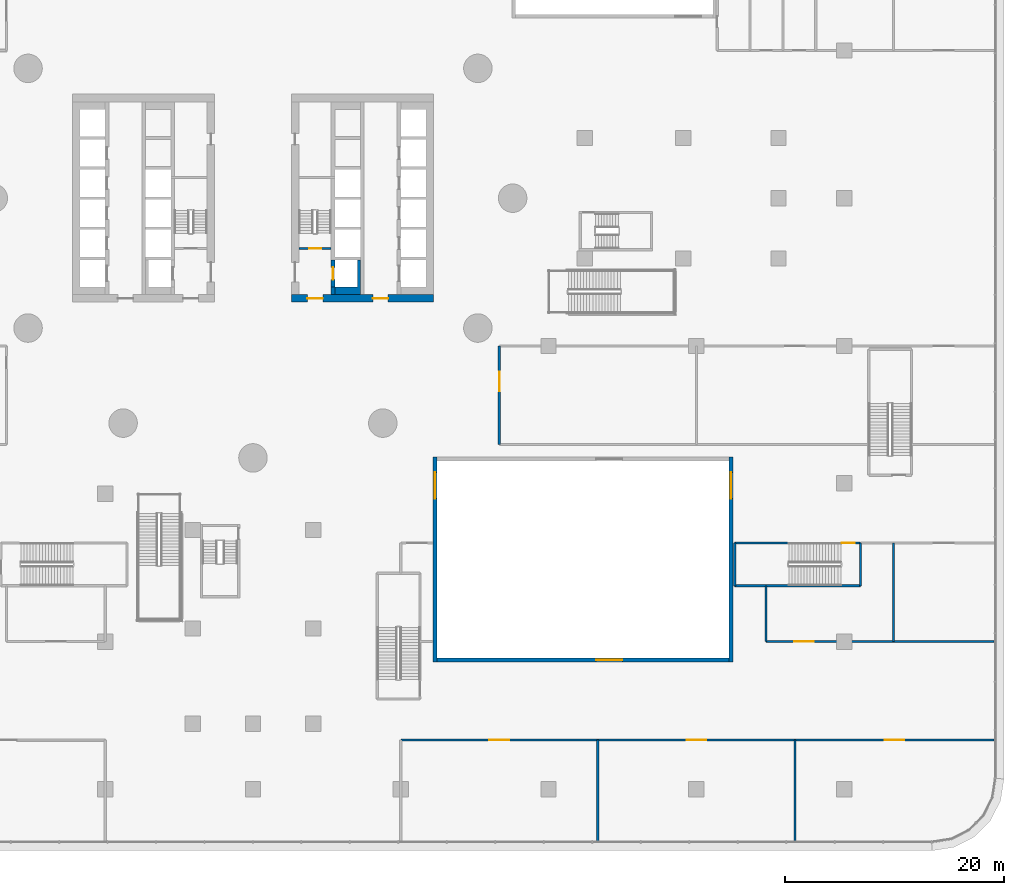
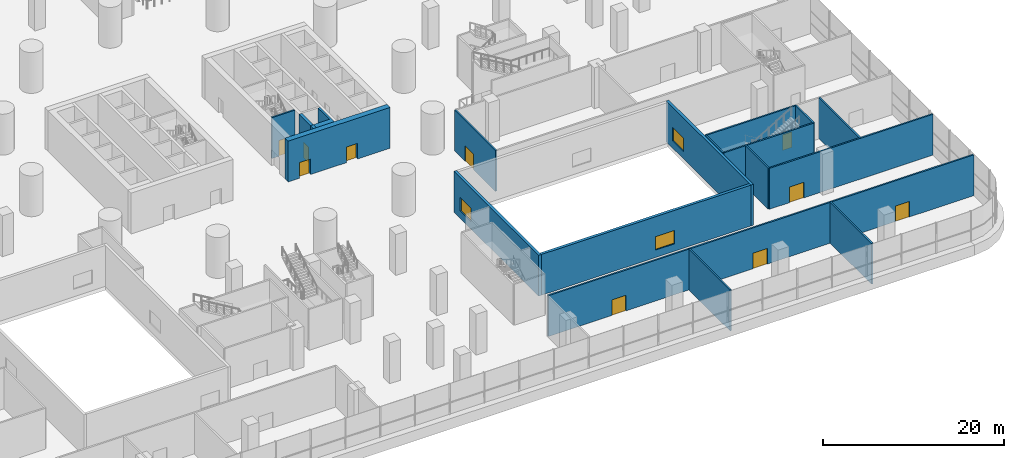
# One storey, part 30 of 52: 19 walls, 10 doors, 3 windows, 13 openings.
"""IFC4 building model written with IfcOpenShell, lengths in metres."""

from ifc_helpers import new_model, si_unit, direction, frame, frame_2d, origin, place, context, subcontext, project, spatial, polyline, rectangle, outline, extrude, material, layer, layer_set, type_object, element, fill, save


model = new_model("IFC4")

# Units and contexts
model_context = context("Model", 3, precision=1e-05, world=origin(), true_north=direction((0.0, 1.0)))
body_context = subcontext(model_context, "Body", "Model", "MODEL_VIEW")
ifc_project = project(units=[si_unit("LENGTHUNIT", "METRE"), si_unit("AREAUNIT", "SQUARE_METRE"), si_unit("VOLUMEUNIT", "CUBIC_METRE"), si_unit("PLANEANGLEUNIT", "RADIAN"), si_unit("MASSUNIT", "GRAM", prefix="KILO")], contexts=[model_context])

# Site, building, storey
site_placement = place(None, origin())
site = spatial("IfcSite", under=ifc_project, at=site_placement, CompositionType="ELEMENT")
building_placement = place(site_placement, origin())
building = spatial("IfcBuilding", under=site, at=building_placement, Name="Tamarind Cross Interchange Tower", CompositionType="ELEMENT")
storey_placement = place(building_placement, frame((0.0, 0.0, 9.0)))
storey = spatial("IfcBuildingStorey", under=building, at=storey_placement, Name="L01", CompositionType="ELEMENT", Elevation=9.0)

# Wall, openings, doors
ifc_material_1 = material(Name="Concrete C80", Category="concrete")
ifc_layer_1 = layer(ifc_material_1, 0.699951171875)
ifc_layer_set_1 = layer_set([ifc_layer_1], Name="Concrete C80")
wall_type_1 = type_object("IfcWallType", Name="Core wall 700 mm Concrete C80", PredefinedType="SHEAR", material=ifc_layer_set_1)
wall_1_placement = place(storey_placement, frame((16.5, -9.14990234375, 0.0), z_axis=(0.0, 0.0, 1.0), x_axis=(-1.0, 0.0, 0.0)))
wall_1 = element("IfcWall", 1, at=wall_1_placement, inside=storey, type_object=wall_type_1, Name="Core wall CWL-L01-E-S", PredefinedType="SHEAR", context=body_context, shape_type="SweptSolid", body=[
    extrude(rectangle(XDim=13.0, YDim=0.699951171875, at=frame_2d((6.5, 0.0))), origin(), (0.0, 0.0, 1.0), 5.5),
])
opening_1_placement = place(wall_1_placement, frame((4.14990234375, 0.0, 0.0)))
opening_1 = element("IfcOpeningElement", 2, at=opening_1_placement, cuts=wall_1, Name="Opening DCE1", PredefinedType="OPENING", context=body_context, shape_type="SweptSolid", body=[
    extrude(rectangle(XDim=1.39990234375, YDim=2.10009765625, at=frame_2d((0.699951171875, 1.050048828125))), frame((0.0, 0.35986328125, 0.0), z_axis=(0.0, -1.0, 0.0), x_axis=(1.0, 0.0, 0.0)), (0.0, 0.0, 1.0), 0.719970703125),
])
opening_2_placement = place(wall_1_placement, frame((10.125, 0.0, 0.0)))
opening_2 = element("IfcOpeningElement", 3, at=opening_2_placement, cuts=wall_1, Name="Opening DCEF", PredefinedType="OPENING", context=body_context, shape_type="SweptSolid", body=[
    extrude(rectangle(XDim=1.39990234375, YDim=2.10009765625, at=frame_2d((0.699951171875, 1.050048828125))), frame((0.0, 0.35986328125, 0.0), z_axis=(0.0, -1.0, 0.0), x_axis=(1.0, 0.0, 0.0)), (0.0, 0.0, 1.0), 0.719970703125),
])
ifc_material_2 = material(Name="Steel, fire-resisting", Category="steel")
door_type_1 = type_object("IfcDoorType", Name="Core fire door 1400 x 2100 FD90", OperationType="SINGLE_SWING_LEFT", PredefinedType="DOOR", material=ifc_material_2)
door_1_placement = place(opening_1_placement, origin())
door_1 = element("IfcDoor", 4, at=door_1_placement, inside=storey, type_object=door_type_1, Name="L01 lift lobby door", OperationType="SINGLE_SWING_LEFT", OverallHeight=2.10009765625, OverallWidth=1.39990234375, PredefinedType="DOOR", context=body_context, shape_type="SweptSolid", body=[
    extrude(rectangle(XDim=1.39990234375, YDim=2.10009765625, at=frame_2d((0.699951171875, 1.050048828125))), frame((0.0, 0.02490234375, 0.0), z_axis=(0.0, -1.0, 0.0), x_axis=(1.0, 0.0, 0.0)), (0.0, 0.0, 1.0), 0.050048828125),
])
fill(opening_1, door_1)
door_2_placement = place(opening_2_placement, origin())
door_2 = element("IfcDoor", 5, at=door_2_placement, inside=storey, type_object=door_type_1, Name="L01 firefighting lobby end door", OperationType="SINGLE_SWING_LEFT", OverallHeight=2.10009765625, OverallWidth=1.39990234375, PredefinedType="DOOR", context=body_context, shape_type="SweptSolid", body=[
    extrude(rectangle(XDim=1.39990234375, YDim=2.10009765625, at=frame_2d((0.699951171875, 1.050048828125))), frame((0.0, 0.02490234375, 0.0), z_axis=(0.0, -1.0, 0.0), x_axis=(1.0, 0.0, 0.0)), (0.0, 0.0, 1.0), 0.050048828125),
])
fill(opening_2, door_2)

# Walls
ifc_layer_2 = layer(ifc_material_1, 0.35009765625)
ifc_layer_set_2 = layer_set([ifc_layer_2], Name="Concrete C80")
wall_type_2 = type_object("IfcWallType", Name="Core web wall 350 mm Concrete C80", PredefinedType="SHEAR", material=ifc_layer_set_2)
wall_2_placement = place(storey_placement, origin())
element("IfcWall", 6, at=wall_2_placement, inside=storey, type_object=wall_type_2, Name="Core wall CWL-L01-E-BS", PredefinedType="SHEAR", context=body_context, shape_type="SweptSolid", body=[
    extrude(outline(polyline([(7.5, -8.125), (7.5, -8.800048828125), (9.800048828125, -8.800048828125), (9.800048828125, -8.125), (9.800048828125, -5.625), (9.550048828125, -5.625), (9.550048828125, -8.125), (7.5, -8.125)])), origin(), (0.0, 0.0, 1.0), 5.5),
])
wall_3_placement = place(storey_placement, frame((7.324951171875, -8.800048828125, 0.0), z_axis=(0.0, 0.0, 1.0), x_axis=(0.0, 1.0, 0.0)))
element("IfcWall", 7, at=wall_3_placement, inside=storey, type_object=wall_type_2, Name="Core wall CWL-L01-E-BW", PredefinedType="SHEAR", context=body_context, shape_type="SweptSolid", body=[
    extrude(rectangle(XDim=0.675048828125, YDim=0.35009765625, at=frame_2d((0.33740234375, 0.0))), origin(), (0.0, 0.0, 1.0), 5.5),
])

# Wall, opening, door
wall_4_placement = place(storey_placement, frame((7.324951171875, -8.125, 0.0), z_axis=(0.0, 0.0, 1.0), x_axis=(0.0, 1.0, 0.0)))
wall_4 = element("IfcWall", 8, at=wall_4_placement, inside=storey, type_object=wall_type_2, Name="Core wall CWL-L01-E-FF", PredefinedType="SHEAR", context=body_context, shape_type="SweptSolid", body=[
    extrude(rectangle(XDim=2.5, YDim=0.35009765625, at=frame_2d((1.25, 0.0))), origin(), (0.0, 0.0, 1.0), 5.5),
])
opening_3_placement = place(wall_4_placement, frame((0.699951171875, 0.0, 0.0)))
opening_3 = element("IfcOpeningElement", 9, at=opening_3_placement, cuts=wall_4, Name="Opening LD19L01", PredefinedType="OPENING", context=body_context, shape_type="SweptSolid", body=[
    extrude(rectangle(XDim=1.10009765625, YDim=2.10009765625, at=frame_2d((0.550048828125, 1.050048828125))), frame((0.0, 0.18505859375, 0.0), z_axis=(0.0, -1.0, 0.0), x_axis=(1.0, 0.0, 0.0)), (0.0, 0.0, 1.0), 0.3701171875),
])
ifc_material_3 = material(Name="Stainless steel panel", Category="steel")
door_type_2 = type_object("IfcDoorType", Name="Lift landing door 1100 x 2100 E 120", OperationType="SLIDING_TO_LEFT", PredefinedType="DOOR", material=ifc_material_3)
door_3_placement = place(opening_3_placement, origin())
door_3 = element("IfcDoor", 10, at=door_3_placement, inside=storey, type_object=door_type_2, Name="L01 landing door LF19", OperationType="SLIDING_TO_LEFT", OverallHeight=2.10009765625, OverallWidth=1.10009765625, PredefinedType="DOOR", context=body_context, shape_type="SweptSolid", body=[
    extrude(rectangle(XDim=1.10009765625, YDim=2.10009765625, at=frame_2d((0.550048828125, 1.050048828125))), frame((0.0, 0.02490234375, 0.0), z_axis=(0.0, -1.0, 0.0), x_axis=(1.0, 0.0, 0.0)), (0.0, 0.0, 1.0), 0.050048828125),
])
fill(opening_3, door_3)

# Wall, openings, doors
ifc_material_4 = material(Name="Masonry partition, fire-rated", Category="masonry")
ifc_layer_3 = layer(ifc_material_4, 0.199951171875)
ifc_layer_set_3 = layer_set([ifc_layer_3], Name="Masonry partition, fire-rated")
wall_type_3 = type_object("IfcWallType", Name="Fire partition 200 EI 120", PredefinedType="PARTITIONING", material=ifc_layer_set_3)
wall_5_placement = place(storey_placement, frame((13.5, -49.5, 0.0), z_axis=(0.0, 0.0, 1.0), x_axis=(1.0, 0.0, 0.0)))
wall_5 = element("IfcWall", 11, at=wall_5_placement, inside=storey, type_object=wall_type_3, Name="L01 partition 89", PredefinedType="PARTITIONING", context=body_context, shape_type="SweptSolid", body=[
    extrude(rectangle(XDim=54.198974609375, YDim=0.199951171875, at=frame_2d((27.099609375, 0.0))), origin(), (0.0, 0.0, 1.0), 5.5),
])
opening_4_placement = place(wall_5_placement, frame((8.10009765625, 0.0, 0.0)))
opening_4 = element("IfcOpeningElement", 12, at=opening_4_placement, cuts=wall_5, Name="Opening DL01-48", PredefinedType="OPENING", context=body_context, shape_type="SweptSolid", body=[
    extrude(rectangle(XDim=1.800048828125, YDim=2.10009765625, at=frame_2d((0.89990234375, 1.050048828125))), frame((0.0, 0.10986328125, 0.0), z_axis=(0.0, -1.0, 0.0), x_axis=(1.0, 0.0, 0.0)), (0.0, 0.0, 1.0), 0.219970703125),
])
opening_5_placement = place(wall_5_placement, frame((26.10009765625, 0.0, 0.0)))
opening_5 = element("IfcOpeningElement", 13, at=opening_5_placement, cuts=wall_5, Name="Opening DL01-49", PredefinedType="OPENING", context=body_context, shape_type="SweptSolid", body=[
    extrude(rectangle(XDim=1.800048828125, YDim=2.10009765625, at=frame_2d((0.89990234375, 1.050048828125))), frame((0.0, 0.10986328125, 0.0), z_axis=(0.0, -1.0, 0.0), x_axis=(1.0, 0.0, 0.0)), (0.0, 0.0, 1.0), 0.219970703125),
])
opening_6_placement = place(wall_5_placement, frame((44.2099609375, 0.0, 0.0)))
opening_6 = element("IfcOpeningElement", 14, at=opening_6_placement, cuts=wall_5, Name="Opening DL01-50", PredefinedType="OPENING", context=body_context, shape_type="SweptSolid", body=[
    extrude(rectangle(XDim=1.800048828125, YDim=2.10009765625, at=frame_2d((0.89990234375, 1.050048828125))), frame((0.0, 0.10986328125, 0.0), z_axis=(0.0, -1.0, 0.0), x_axis=(1.0, 0.0, 0.0)), (0.0, 0.0, 1.0), 0.219970703125),
])
door_type_3 = type_object("IfcDoorType", Name="Podium door 1800 x 2100 FD60", OperationType="SINGLE_SWING_LEFT", PredefinedType="DOOR", material=ifc_material_2)
door_4_placement = place(opening_4_placement, origin())
door_4 = element("IfcDoor", 15, at=door_4_placement, inside=storey, type_object=door_type_3, Name="L01 door Coffee Bar 0133", OperationType="SINGLE_SWING_RIGHT", OverallHeight=2.10009765625, OverallWidth=1.800048828125, PredefinedType="DOOR", context=body_context, shape_type="SweptSolid", body=[
    extrude(rectangle(XDim=1.800048828125, YDim=2.10009765625, at=frame_2d((0.89990234375, 1.050048828125))), frame((0.0, 0.02490234375, 0.0), z_axis=(0.0, -1.0, 0.0), x_axis=(1.0, 0.0, 0.0)), (0.0, 0.0, 1.0), 0.050048828125),
])
fill(opening_4, door_4)
door_5_placement = place(opening_5_placement, origin())
door_5 = element("IfcDoor", 16, at=door_5_placement, inside=storey, type_object=door_type_3, Name="L01 door Gift Shop 0134", OperationType="SINGLE_SWING_LEFT", OverallHeight=2.10009765625, OverallWidth=1.800048828125, PredefinedType="DOOR", context=body_context, shape_type="SweptSolid", body=[
    extrude(rectangle(XDim=1.800048828125, YDim=2.10009765625, at=frame_2d((0.89990234375, 1.050048828125))), frame((0.0, 0.02490234375, 0.0), z_axis=(0.0, -1.0, 0.0), x_axis=(1.0, 0.0, 0.0)), (0.0, 0.0, 1.0), 0.050048828125),
])
fill(opening_5, door_5)
door_6_placement = place(opening_6_placement, origin())
door_6 = element("IfcDoor", 17, at=door_6_placement, inside=storey, type_object=door_type_3, Name="L01 door Bookshop 0135", OperationType="SINGLE_SWING_RIGHT", OverallHeight=2.10009765625, OverallWidth=1.800048828125, PredefinedType="DOOR", context=body_context, shape_type="SweptSolid", body=[
    extrude(rectangle(XDim=1.800048828125, YDim=2.10009765625, at=frame_2d((0.89990234375, 1.050048828125))), frame((0.0, 0.02490234375, 0.0), z_axis=(0.0, -1.0, 0.0), x_axis=(1.0, 0.0, 0.0)), (0.0, 0.0, 1.0), 0.050048828125),
])
fill(opening_6, door_6)

# Wall
wall_6_placement = place(storey_placement, frame((31.5, -58.698974609375, 0.0), z_axis=(0.0, 0.0, 1.0), x_axis=(0.0, 1.0, 0.0)))
element("IfcWall", 18, at=wall_6_placement, inside=storey, type_object=wall_type_3, Name="L01 partition 98", PredefinedType="PARTITIONING", context=body_context, shape_type="SweptSolid", body=[
    extrude(rectangle(XDim=9.198974609375, YDim=0.199951171875, at=frame_2d((4.599609375, 0.0))), origin(), (0.0, 0.0, 1.0), 5.5),
])

# Wall, opening, door
wall_7_placement = place(storey_placement, frame((22.5, -22.5, 0.0), z_axis=(0.0, 0.0, 1.0), x_axis=(0.0, 1.0, 0.0)))
wall_7 = element("IfcWall", 19, at=wall_7_placement, inside=storey, type_object=wall_type_3, Name="L01 partition 101", PredefinedType="PARTITIONING", context=body_context, shape_type="SweptSolid", body=[
    extrude(rectangle(XDim=9.0, YDim=0.199951171875, at=frame_2d((4.5, 0.0))), origin(), (0.0, 0.0, 1.0), 5.5),
])
opening_7_placement = place(wall_7_placement, frame((4.866943359375, 0.0, 0.0)))
opening_7 = element("IfcOpeningElement", 20, at=opening_7_placement, cuts=wall_7, Name="Opening DL01-43", PredefinedType="OPENING", context=body_context, shape_type="SweptSolid", body=[
    extrude(rectangle(XDim=1.800048828125, YDim=2.10009765625, at=frame_2d((0.89990234375, 1.050048828125))), frame((0.0, 0.10986328125, 0.0), z_axis=(0.0, -1.0, 0.0), x_axis=(1.0, 0.0, 0.0)), (0.0, 0.0, 1.0), 0.219970703125),
])
door_7_placement = place(opening_7_placement, origin())
door_7 = element("IfcDoor", 21, at=door_7_placement, inside=storey, type_object=door_type_3, Name="L01 door Coffee Bar 0127", OperationType="SINGLE_SWING_LEFT", OverallHeight=2.10009765625, OverallWidth=1.800048828125, PredefinedType="DOOR", context=body_context, shape_type="SweptSolid", body=[
    extrude(rectangle(XDim=1.800048828125, YDim=2.10009765625, at=frame_2d((0.89990234375, 1.050048828125))), frame((0.0, 0.02490234375, 0.0), z_axis=(0.0, -1.0, 0.0), x_axis=(1.0, 0.0, 0.0)), (0.0, 0.0, 1.0), 0.050048828125),
])
fill(opening_7, door_7)

wall_8_placement = place(storey_placement, frame((46.85009765625, -40.5, 0.0), z_axis=(0.0, 0.0, 1.0), x_axis=(1.0, 0.0, 0.0)))
wall_8 = element("IfcWall", 22, at=wall_8_placement, inside=storey, type_object=wall_type_3, Name="L01 partition 108", PredefinedType="PARTITIONING", context=body_context, shape_type="SweptSolid", body=[
    extrude(rectangle(XDim=20.848876953125, YDim=0.199951171875, at=frame_2d((10.42431640625, 0.0))), origin(), (0.0, 0.0, 1.0), 5.5),
])
opening_8_placement = place(wall_8_placement, frame((2.5869140625, 0.0, 0.0)))
opening_8 = element("IfcOpeningElement", 23, at=opening_8_placement, cuts=wall_8, Name="Opening DL01-51", PredefinedType="OPENING", context=body_context, shape_type="SweptSolid", body=[
    extrude(rectangle(XDim=1.800048828125, YDim=2.10009765625, at=frame_2d((0.89990234375, 1.050048828125))), frame((0.0, 0.10986328125, 0.0), z_axis=(0.0, -1.0, 0.0), x_axis=(1.0, 0.0, 0.0)), (0.0, 0.0, 1.0), 0.219970703125),
])
door_8_placement = place(opening_8_placement, origin())
door_8 = element("IfcDoor", 24, at=door_8_placement, inside=storey, type_object=door_type_3, Name="L01 door Jewellery Shop 0131", OperationType="SINGLE_SWING_LEFT", OverallHeight=2.10009765625, OverallWidth=1.800048828125, PredefinedType="DOOR", context=body_context, shape_type="SweptSolid", body=[
    extrude(rectangle(XDim=1.800048828125, YDim=2.10009765625, at=frame_2d((0.89990234375, 1.050048828125))), frame((0.0, 0.02490234375, 0.0), z_axis=(0.0, -1.0, 0.0), x_axis=(1.0, 0.0, 0.0)), (0.0, 0.0, 1.0), 0.050048828125),
])
fill(opening_8, door_8)

# Walls
wall_9_placement = place(storey_placement, frame((46.85009765625, -40.5, 0.0), z_axis=(0.0, 0.0, 1.0), x_axis=(0.0, 1.0, 0.0)))
element("IfcWall", 25, at=wall_9_placement, inside=storey, type_object=wall_type_3, Name="L01 partition 109", PredefinedType="PARTITIONING", context=body_context, shape_type="SweptSolid", body=[
    extrude(rectangle(XDim=5.070068359375, YDim=0.199951171875, at=frame_2d((2.53515625, 0.0))), origin(), (0.0, 0.0, 1.0), 5.5),
])
wall_10_placement = place(storey_placement, frame((49.5, -58.698974609375, 0.0), z_axis=(0.0, 0.0, 1.0), x_axis=(0.0, 1.0, 0.0)))
element("IfcWall", 26, at=wall_10_placement, inside=storey, type_object=wall_type_3, Name="L01 partition 111", PredefinedType="PARTITIONING", context=body_context, shape_type="SweptSolid", body=[
    extrude(rectangle(XDim=9.198974609375, YDim=0.199951171875, at=frame_2d((4.599609375, 0.0))), origin(), (0.0, 0.0, 1.0), 5.5),
])
wall_11_placement = place(storey_placement, frame((58.5, -40.5, 0.0), z_axis=(0.0, 0.0, 1.0), x_axis=(0.0, 1.0, 0.0)))
element("IfcWall", 27, at=wall_11_placement, inside=storey, type_object=wall_type_3, Name="L01 partition 114", PredefinedType="PARTITIONING", context=body_context, shape_type="SweptSolid", body=[
    extrude(rectangle(XDim=9.0, YDim=0.199951171875, at=frame_2d((4.5, 0.0))), origin(), (0.0, 0.0, 1.0), 5.5),
])

# Wall, opening, window
ifc_material_5 = material(Name="Precast concrete C40", Category="concrete")
ifc_layer_4 = layer(ifc_material_5, 0.35009765625)
ifc_layer_set_4 = layer_set([ifc_layer_4], Name="Precast concrete C40")
wall_type_4 = type_object("IfcWallType", Name="Podium facade wall", PredefinedType="SOLIDWALL", material=ifc_layer_set_4)
wall_12_placement = place(storey_placement, frame((16.800048828125, -42.175048828125, 0.0), z_axis=(0.0, 0.0, 1.0), x_axis=(1.0, 0.0, 0.0)))
wall_12 = element("IfcWall", 28, at=wall_12_placement, inside=storey, type_object=wall_type_4, Name="CTW-L01-SES00", PredefinedType="SOLIDWALL", context=body_context, shape_type="SweptSolid", body=[
    extrude(rectangle(XDim=26.699951171875, YDim=0.35009765625, at=frame_2d((13.35009765625, 0.0))), origin(), (0.0, 0.0, 1.0), 5.5),
])
opening_9_placement = place(wall_12_placement, frame((14.550048828125, 0.0, 1.0)))
opening_9 = element("IfcOpeningElement", 29, at=opening_9_placement, cuts=wall_12, Name="Opening W4", PredefinedType="OPENING", context=body_context, shape_type="SweptSolid", body=[
    extrude(rectangle(XDim=2.39990234375, YDim=1.800048828125, at=frame_2d((1.199951171875, 0.89990234375))), frame((0.0, 0.18505859375, 0.0), z_axis=(0.0, -1.0, 0.0), x_axis=(1.0, 0.0, 0.0)), (0.0, 0.0, 1.0), 0.3701171875),
])
ifc_material_6 = material(Name="Aluminium and toughened glass", Category="aluminium")
window_type = type_object("IfcWindowType", Name="Podium daylight window", PartitioningType="SINGLE_PANEL", PredefinedType="WINDOW", material=ifc_material_6)
window_1_placement = place(opening_9_placement, origin())
window_1 = element("IfcWindow", 30, at=window_1_placement, inside=storey, type_object=window_type, Name="CTX-L01-SES-01-00", OverallHeight=1.800048828125, OverallWidth=2.39990234375, PartitioningType="SINGLE_PANEL", PredefinedType="WINDOW", context=body_context, shape_type="SweptSolid", body=[
    extrude(rectangle(XDim=2.39990234375, YDim=1.800048828125, at=frame_2d((1.199951171875, 0.89990234375))), frame((0.0, 0.030029296875, 0.0), z_axis=(0.0, -1.0, 0.0), x_axis=(1.0, 0.0, 0.0)), (0.0, 0.0, 1.0), 0.06005859375),
])
fill(opening_9, window_1)

wall_13_placement = place(storey_placement, frame((16.625, -42.35009765625, 0.0), z_axis=(0.0, 0.0, 1.0), x_axis=(0.0, 1.0, 0.0)))
wall_13 = element("IfcWall", 31, at=wall_13_placement, inside=storey, type_object=wall_type_4, Name="CTW-L01-SEW00", PredefinedType="SOLIDWALL", context=body_context, shape_type="SweptSolid", body=[
    extrude(rectangle(XDim=18.7001953125, YDim=0.35009765625, at=frame_2d((9.35009765625, 0.0))), origin(), (0.0, 0.0, 1.0), 5.5),
])
opening_10_placement = place(wall_13_placement, frame((14.89990234375, 0.0, 1.0)))
opening_10 = element("IfcOpeningElement", 32, at=opening_10_placement, cuts=wall_13, Name="Opening W4", PredefinedType="OPENING", context=body_context, shape_type="SweptSolid", body=[
    extrude(rectangle(XDim=2.39990234375, YDim=1.800048828125, at=frame_2d((1.199951171875, 0.89990234375))), frame((0.0, 0.18505859375, 0.0), z_axis=(0.0, -1.0, 0.0), x_axis=(1.0, 0.0, 0.0)), (0.0, 0.0, 1.0), 0.3701171875),
])
window_2_placement = place(opening_10_placement, origin())
window_2 = element("IfcWindow", 33, at=window_2_placement, inside=storey, type_object=window_type, Name="CTX-L01-SEW-01-00", OverallHeight=1.800048828125, OverallWidth=2.39990234375, PartitioningType="SINGLE_PANEL", PredefinedType="WINDOW", context=body_context, shape_type="SweptSolid", body=[
    extrude(rectangle(XDim=2.39990234375, YDim=1.800048828125, at=frame_2d((1.199951171875, 0.89990234375))), frame((0.0, 0.030029296875, 0.0), z_axis=(0.0, -1.0, 0.0), x_axis=(1.0, 0.0, 0.0)), (0.0, 0.0, 1.0), 0.06005859375),
])
fill(opening_10, window_2)

wall_14_placement = place(storey_placement, frame((43.675048828125, -42.35009765625, 0.0), z_axis=(0.0, 0.0, 1.0), x_axis=(0.0, 1.0, 0.0)))
wall_14 = element("IfcWall", 34, at=wall_14_placement, inside=storey, type_object=wall_type_4, Name="CTW-L01-SEE00", PredefinedType="SOLIDWALL", context=body_context, shape_type="SweptSolid", body=[
    extrude(rectangle(XDim=18.7001953125, YDim=0.35009765625, at=frame_2d((9.35009765625, 0.0))), origin(), (0.0, 0.0, 1.0), 5.5),
])
opening_11_placement = place(wall_14_placement, frame((14.89990234375, 0.0, 1.0)))
opening_11 = element("IfcOpeningElement", 35, at=opening_11_placement, cuts=wall_14, Name="Opening W4", PredefinedType="OPENING", context=body_context, shape_type="SweptSolid", body=[
    extrude(rectangle(XDim=2.39990234375, YDim=1.800048828125, at=frame_2d((1.199951171875, 0.89990234375))), frame((0.0, 0.18505859375, 0.0), z_axis=(0.0, -1.0, 0.0), x_axis=(1.0, 0.0, 0.0)), (0.0, 0.0, 1.0), 0.3701171875),
])
window_3_placement = place(opening_11_placement, origin())
window_3 = element("IfcWindow", 36, at=window_3_placement, inside=storey, type_object=window_type, Name="CTX-L01-SEE-01-00", OverallHeight=1.800048828125, OverallWidth=2.39990234375, PartitioningType="SINGLE_PANEL", PredefinedType="WINDOW", context=body_context, shape_type="SweptSolid", body=[
    extrude(rectangle(XDim=2.39990234375, YDim=1.800048828125, at=frame_2d((1.199951171875, 0.89990234375))), frame((0.0, 0.030029296875, 0.0), z_axis=(0.0, -1.0, 0.0), x_axis=(1.0, 0.0, 0.0)), (0.0, 0.0, 1.0), 0.06005859375),
])
fill(opening_11, window_3)

# Walls
ifc_material_7 = material(Name="Concrete C40", Category="concrete")
ifc_layer_5 = layer(ifc_material_7, 0.199951171875)
ifc_layer_set_5 = layer_set([ifc_layer_5], Name="Concrete C40")
wall_type_5 = type_object("IfcWallType", Name="Stair shaft wall 200 EI 180", PredefinedType="PARTITIONING", material=ifc_layer_set_5)
wall_15_placement = place(storey_placement, frame((44.0, -35.39990234375, 0.0), z_axis=(0.0, 0.0, 1.0), x_axis=(1.0, 0.0, 0.0)))
element("IfcWall", 37, at=wall_15_placement, inside=storey, type_object=wall_type_5, Name="L01 stair shaft wall 33", PredefinedType="PARTITIONING", context=body_context, shape_type="SweptSolid", body=[
    extrude(rectangle(XDim=11.5, YDim=0.199951171875, at=frame_2d((5.75, 0.0))), origin(), (0.0, 0.0, 1.0), 5.5),
])
wall_16_placement = place(storey_placement, frame((44.0, -35.39990234375, 0.0), z_axis=(0.0, 0.0, 1.0), x_axis=(0.0, 1.0, 0.0)))
element("IfcWall", 38, at=wall_16_placement, inside=storey, type_object=wall_type_5, Name="L01 stair shaft wall 34", PredefinedType="PARTITIONING", context=body_context, shape_type="SweptSolid", body=[
    extrude(rectangle(XDim=3.89990234375, YDim=0.199951171875, at=frame_2d((1.949951171875, 0.0))), origin(), (0.0, 0.0, 1.0), 5.5),
])

# Wall, opening, door
wall_17_placement = place(storey_placement, frame((44.0, -31.5, 0.0), z_axis=(0.0, 0.0, 1.0), x_axis=(1.0, 0.0, 0.0)))
wall_17 = element("IfcWall", 39, at=wall_17_placement, inside=storey, type_object=wall_type_5, Name="L01 stair shaft wall 35", PredefinedType="PARTITIONING", context=body_context, shape_type="SweptSolid", body=[
    extrude(rectangle(XDim=11.5, YDim=0.199951171875, at=frame_2d((5.75, 0.0))), origin(), (0.0, 0.0, 1.0), 5.5),
])
opening_12_placement = place(wall_17_placement, frame((9.785888671875, 0.0, 0.0)))
opening_12 = element("IfcOpeningElement", 40, at=opening_12_placement, cuts=wall_17, Name="Opening DL01-10", PredefinedType="OPENING", context=body_context, shape_type="SweptSolid", body=[
    extrude(rectangle(XDim=1.199951171875, YDim=2.10009765625, at=frame_2d((0.60009765625, 1.050048828125))), frame((0.0, 0.10986328125, 0.0), z_axis=(0.0, -1.0, 0.0), x_axis=(1.0, 0.0, 0.0)), (0.0, 0.0, 1.0), 0.219970703125),
])
door_type_4 = type_object("IfcDoorType", Name="Podium door 1200 x 2100 FD90", OperationType="SINGLE_SWING_LEFT", PredefinedType="DOOR", material=ifc_material_2)
door_9_placement = place(opening_12_placement, origin())
door_9 = element("IfcDoor", 41, at=door_9_placement, inside=storey, type_object=door_type_4, Name="L01 door Exit Stair PX10", OperationType="SINGLE_SWING_RIGHT", OverallHeight=2.10009765625, OverallWidth=1.199951171875, PredefinedType="DOOR", context=body_context, shape_type="SweptSolid", body=[
    extrude(rectangle(XDim=1.199951171875, YDim=2.10009765625, at=frame_2d((0.60009765625, 1.050048828125))), frame((0.0, 0.02490234375, 0.0), z_axis=(0.0, -1.0, 0.0), x_axis=(1.0, 0.0, 0.0)), (0.0, 0.0, 1.0), 0.050048828125),
])
fill(opening_12, door_9)

# Wall
wall_18_placement = place(storey_placement, frame((55.5, -35.39990234375, 0.0), z_axis=(0.0, 0.0, 1.0), x_axis=(0.0, 1.0, 0.0)))
element("IfcWall", 42, at=wall_18_placement, inside=storey, type_object=wall_type_5, Name="L01 stair shaft wall 36", PredefinedType="PARTITIONING", context=body_context, shape_type="SweptSolid", body=[
    extrude(rectangle(XDim=3.89990234375, YDim=0.199951171875, at=frame_2d((1.949951171875, 0.0))), origin(), (0.0, 0.0, 1.0), 5.5),
])

# Wall, opening, door
ifc_layer_6 = layer(ifc_material_7, 0.199951171875)
ifc_layer_set_6 = layer_set([ifc_layer_6], Name="Concrete C40")
wall_type_6 = type_object("IfcWallType", Name="Stair shaft wall 200 mm Concrete C40", PredefinedType="SHEAR", material=ifc_layer_set_6)
wall_19_placement = place(storey_placement, frame((7.14990234375, -4.60009765625, 0.0), z_axis=(0.0, 0.0, 1.0), x_axis=(-1.0, 0.0, 0.0)))
wall_19 = element("IfcWall", 43, at=wall_19_placement, inside=storey, type_object=wall_type_6, Name="Core wall CWL-L01-E-SD", PredefinedType="SHEAR", context=body_context, shape_type="SweptSolid", body=[
    extrude(rectangle(XDim=2.949951171875, YDim=0.199951171875, at=frame_2d((1.47509765625, 0.0))), origin(), (0.0, 0.0, 1.0), 5.5),
])
opening_13_placement = place(wall_19_placement, frame((0.925048828125, 0.0, 0.0)))
opening_13 = element("IfcOpeningElement", 44, at=opening_13_placement, cuts=wall_19, Name="Opening DCE6", PredefinedType="OPENING", context=body_context, shape_type="SweptSolid", body=[
    extrude(rectangle(XDim=1.10009765625, YDim=2.10009765625, at=frame_2d((0.550048828125, 1.050048828125))), frame((0.0, 0.10986328125, 0.0), z_axis=(0.0, -1.0, 0.0), x_axis=(1.0, 0.0, 0.0)), (0.0, 0.0, 1.0), 0.219970703125),
])
door_type_5 = type_object("IfcDoorType", Name="Core fire door 1100 x 2100 FD90", OperationType="SINGLE_SWING_LEFT", PredefinedType="DOOR", material=ifc_material_2)
door_10_placement = place(opening_13_placement, origin())
door_10 = element("IfcDoor", 45, at=door_10_placement, inside=storey, type_object=door_type_5, Name="L01 stair door", OperationType="SINGLE_SWING_LEFT", OverallHeight=2.10009765625, OverallWidth=1.10009765625, PredefinedType="DOOR", context=body_context, shape_type="SweptSolid", body=[
    extrude(rectangle(XDim=1.10009765625, YDim=2.10009765625, at=frame_2d((0.550048828125, 1.050048828125))), frame((0.0, 0.02490234375, 0.0), z_axis=(0.0, -1.0, 0.0), x_axis=(1.0, 0.0, 0.0)), (0.0, 0.0, 1.0), 0.050048828125),
])
fill(opening_13, door_10)

save(model, "model.ifc")
